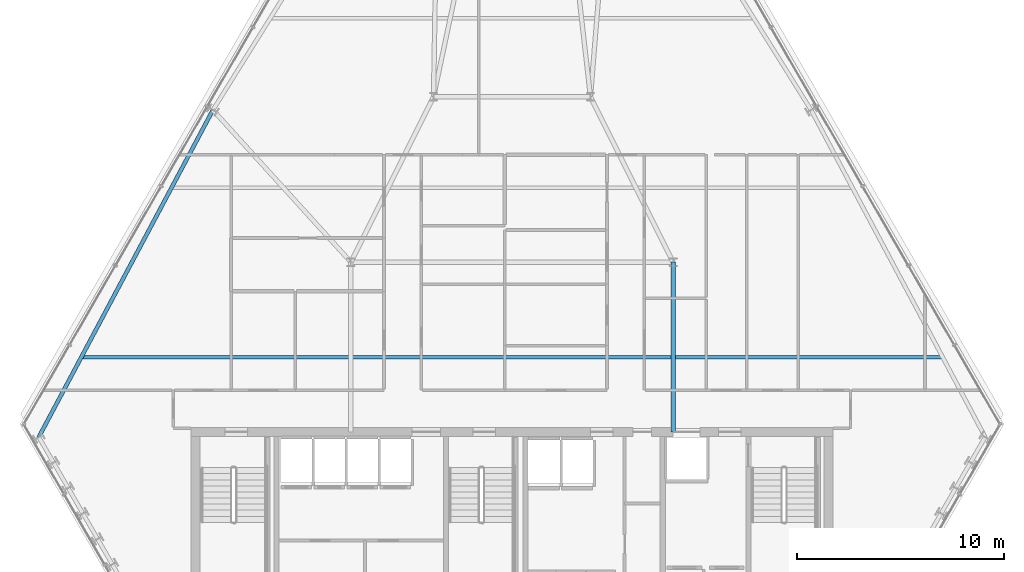
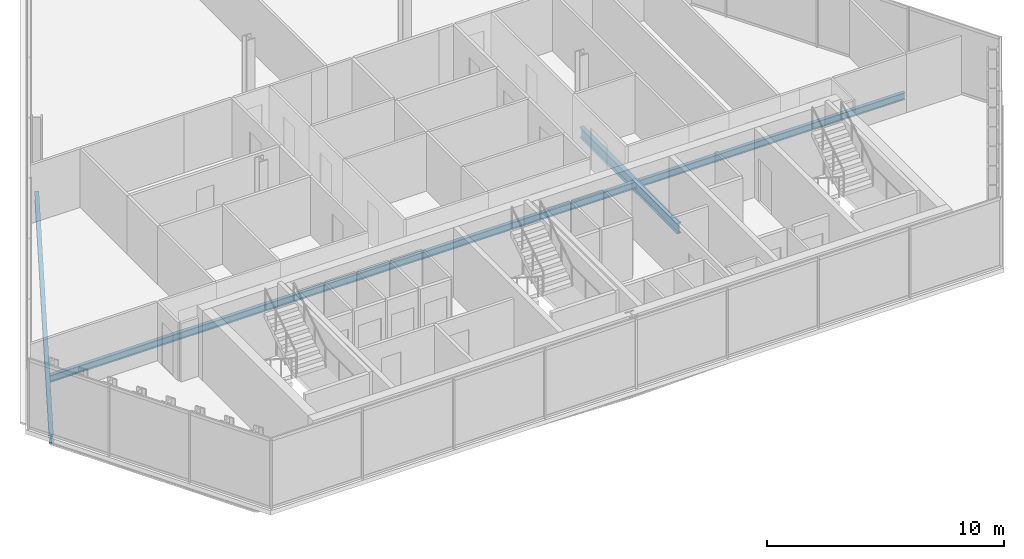
# One storey, part 10 of 31: 3 beams.
"""IFC4 building model written with IfcOpenShell, lengths in metres."""

from ifc_helpers import new_model, si_unit, direction, frame, origin, origin_2d, place, context, subcontext, project, spatial, i_section, extrude, material, material_profile, profile_set, type_object, element, save


model = new_model("IFC4")

# Units and contexts
model_context = context("Model", 3, precision=1e-05, world=origin(), true_north=direction((0.0, 1.0)))
body_context = subcontext(model_context, "Body", "Model", "MODEL_VIEW")
ifc_project = project(units=[si_unit("LENGTHUNIT", "METRE"), si_unit("AREAUNIT", "SQUARE_METRE"), si_unit("VOLUMEUNIT", "CUBIC_METRE"), si_unit("PLANEANGLEUNIT", "RADIAN"), si_unit("MASSUNIT", "GRAM", prefix="KILO")], contexts=[model_context])

# Site, building, storey
site_placement = place(None, origin())
site = spatial("IfcSite", under=ifc_project, at=site_placement, CompositionType="ELEMENT")
building_placement = place(site_placement, origin())
building = spatial("IfcBuilding", under=site, at=building_placement, Name="Ndaravel Arena Tower", CompositionType="ELEMENT")
storey_placement = place(building_placement, frame((0.0, 0.0, 138.39990234375)))
storey = spatial("IfcBuildingStorey", under=building, at=storey_placement, Name="L32", CompositionType="ELEMENT", Elevation=138.39990234375)

# Beams
ifc_material_1 = material(Name="Steel S355", Category="steel")
ifc_material_profile_1 = material_profile(ifc_material_1, i_section(OverallWidth=0.210693359375, OverallDepth=0.53955078125, WebThickness=0.01171875, FlangeThickness=0.018798828125, FilletRadius=0.0126953125, at=origin_2d()), Name="UB 533x210x109")
ifc_profile_set_1 = profile_set([ifc_material_profile_1], Name="Steel S355")
beam_type_1 = type_object("IfcBeamType", Name="BM-GIRD-UB533", PredefinedType="BEAM", material=ifc_profile_set_1)
beam_1_placement = place(storey_placement, frame((49.800048828125, 14.97998046875, -0.489501953125), z_axis=(0.0, 1.0, 0.0), x_axis=(-1.0, 0.0, 0.0)))
element("IfcBeam", 1, at=beam_1_placement, inside=storey, type_object=beam_type_1, Name="L32 Spine Link Girder SLG-02", PredefinedType="BEAM", context=body_context, shape_type="SweptSolid", body=[
    extrude(i_section(OverallWidth=0.210693359375, OverallDepth=0.53955078125, WebThickness=0.01171875, FlangeThickness=0.018798828125, FilletRadius=0.0126953125, at=origin_2d()), origin(), (0.0, 0.0, 1.0), 8.219970703125),
])
ifc_material_2 = material(Name="Steel S355", Category="steel")
ifc_material_profile_2 = material_profile(ifc_material_2, i_section(OverallWidth=0.172119140625, OverallDepth=0.35791015625, WebThickness=0.008056640625, FlangeThickness=0.012939453125, FilletRadius=0.01025390625, at=origin_2d()), Name="UB 356x171x57")
ifc_profile_set_2 = profile_set([ifc_material_profile_2], Name="Steel S355")
beam_type_2 = type_object("IfcBeamType", Name="BM-JOIST-UB356", PredefinedType="JOIST", material=ifc_profile_set_2)
beam_2_placement = place(storey_placement, frame((21.14794921875, 18.60009765625, -0.39892578125), z_axis=(1.0, 0.0, 0.0), x_axis=(0.0, 1.0, 0.0)))
element("IfcBeam", 2, at=beam_2_placement, inside=storey, type_object=beam_type_2, Name="L32 Composite Floor Joist FJ-01", PredefinedType="JOIST", context=body_context, shape_type="SweptSolid", body=[
    extrude(i_section(OverallWidth=0.172119140625, OverallDepth=0.35791015625, WebThickness=0.008056640625, FlangeThickness=0.012939453125, FilletRadius=0.01025390625, at=origin_2d()), origin(), (0.0, 0.0, 1.0), 41.7041015625),
])
ifc_material_3 = material(Name="Steel S355", Category="steel")
ifc_material_profile_3 = material_profile(ifc_material_3, i_section(OverallWidth=0.18994140625, OverallDepth=0.449951171875, WebThickness=0.009521484375, FlangeThickness=0.0146484375, FilletRadius=0.02099609375, at=origin_2d()), Name="IPE 450")
ifc_profile_set_3 = profile_set([ifc_material_profile_3], Name="Steel S355")
beam_type_3 = type_object("IfcBeamType", Name="BM-SPAN-IPE450", PredefinedType="SPANDREL", material=ifc_profile_set_3)
beam_3_placement = place(storey_placement, frame((27.517578125, 30.564208984375, -0.44482421875), z_axis=(-0.469938352002, -0.882699238313, 0.0), x_axis=(0.882699238313, -0.469938352002, 0.0)))
element("IfcBeam", 3, at=beam_3_placement, inside=storey, type_object=beam_type_3, Name="L32 Perimeter Spandrel Beam SP-19", PredefinedType="SPANDREL", context=body_context, shape_type="SweptSolid", body=[
    extrude(i_section(OverallWidth=0.18994140625, OverallDepth=0.449951171875, WebThickness=0.009521484375, FlangeThickness=0.0146484375, FilletRadius=0.02099609375, at=origin_2d()), origin(), (0.0, 0.0, 1.0), 17.94189453125),
])

save(model, "model.ifc")
